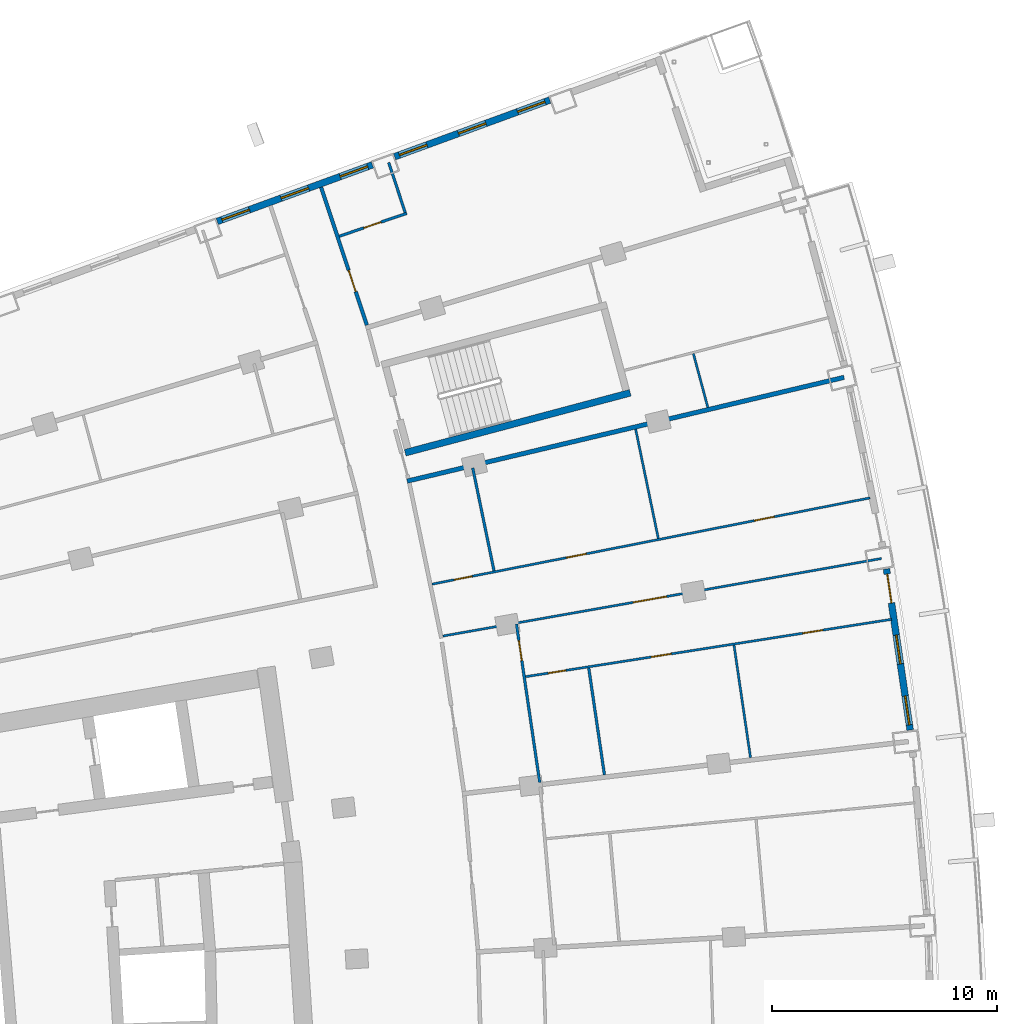
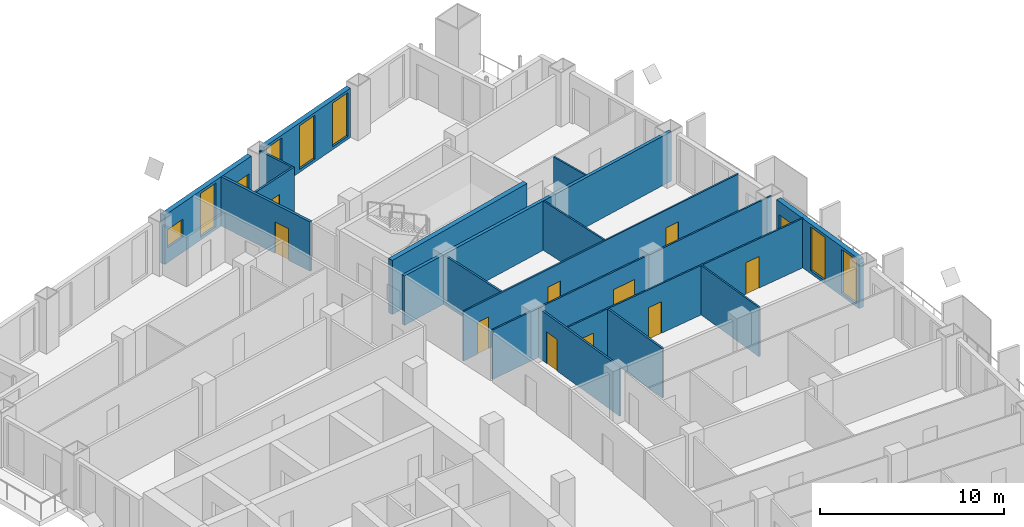
# One storey, part 20 of 25: 17 walls, 11 doors, 8 windows, 19 openings.
"""IFC4 building model written with IfcOpenShell, lengths in metres."""

from ifc_helpers import new_model, si_unit, direction, frame, frame_2d, origin, place, context, subcontext, project, spatial, rectangle, extrude, material, layer, layer_set, type_object, element, fill, save


model = new_model("IFC4")

# Units and contexts
model_context = context("Model", 3, precision=1e-05, world=origin(), true_north=direction((0.0, 1.0)))
body_context = subcontext(model_context, "Body", "Model", "MODEL_VIEW")
ifc_project = project(units=[si_unit("LENGTHUNIT", "METRE"), si_unit("AREAUNIT", "SQUARE_METRE"), si_unit("VOLUMEUNIT", "CUBIC_METRE"), si_unit("PLANEANGLEUNIT", "RADIAN"), si_unit("MASSUNIT", "GRAM", prefix="KILO")], contexts=[model_context])

# Site, building, storey
site_placement = place(None, origin())
site = spatial("IfcSite", under=ifc_project, at=site_placement, CompositionType="ELEMENT")
building_placement = place(site_placement, origin())
building = spatial("IfcBuilding", under=site, at=building_placement, Name="Alderwake Tower", CompositionType="ELEMENT")
storey_placement = place(building_placement, frame((0.0, 0.0, 111.199951171875)))
storey = spatial("IfcBuildingStorey", under=building, at=storey_placement, Name="L27", CompositionType="ELEMENT", Elevation=111.199951171875)

# Wall
ifc_material_1 = material(Name="Concrete C70/85", Category="concrete")
ifc_layer_1 = layer(ifc_material_1, 0.300048828125)
ifc_layer_set_1 = layer_set([ifc_layer_1], Name="Core wall stair enclosure 300 C70-85")
wall_type_1 = type_object("IfcWallType", Name="Core wall stair enclosure 300 C70-85", PredefinedType="SHEAR", material=ifc_layer_set_1)
wall_1_placement = place(storey_placement, frame((37.75390625, 90.268798828125, 0.0), z_axis=(0.0, 0.0, 1.0), x_axis=(0.966309214305, 0.257383958996, 0.0)))
element("IfcWall", 1, at=wall_1_placement, inside=storey, type_object=wall_type_1, Name="Core wall CW.084", PredefinedType="SHEAR", context=body_context, shape_type="SweptSolid", body=[
    extrude(rectangle(XDim=10.360107421875, YDim=0.300048828125, at=frame_2d((5.18017578125, 0.0))), origin(), (0.0, 0.0, 1.0), 3.60009765625),
])

# Wall, opening, door
ifc_material_2 = material(Name="Gypsum board on metal studs, rated")
ifc_layer_2 = layer(ifc_material_2, 0.159912109375)
ifc_layer_set_2 = layer_set([ifc_layer_2], Name="Corridor wall 160")
wall_type_2 = type_object("IfcWallType", Name="Corridor wall 160", PredefinedType="PARTITIONING", material=ifc_layer_set_2)
wall_2_placement = place(storey_placement, frame((34.010986328125, 102.083984375, 0.0), z_axis=(0.0, 0.0, 1.0), x_axis=(0.315140606423, -0.949044992708, 0.0)))
wall_2 = element("IfcWall", 2, at=wall_2_placement, inside=storey, type_object=wall_type_2, Name="WL/L27/W28", PredefinedType="PARTITIONING", context=body_context, shape_type="SweptSolid", body=[
    extrude(rectangle(XDim=6.46875, YDim=0.159912109375, at=frame_2d((3.234375, 0.0))), origin(), (0.0, 0.0, 1.0), 3.280029296875),
])
opening_1_placement = place(wall_2_placement, frame((3.897705078125, 0.0, 0.0)))
opening_1 = element("IfcOpeningElement", 3, at=opening_1_placement, cuts=wall_2, Name="Opening R07-U04.1", PredefinedType="OPENING", context=body_context, shape_type="SweptSolid", body=[
    extrude(rectangle(XDim=1.0, YDim=2.10009765625, at=frame_2d((0.5, 1.050048828125))), frame((0.0, 0.08984375, 0.0), z_axis=(0.0, -1.0, 0.0), x_axis=(1.0, 0.0, 0.0)), (0.0, 0.0, 1.0), 0.179931640625),
])
ifc_material_3 = material(Name="Solid timber leaf in steel frame", Category="steel")
door_type_1 = type_object("IfcDoorType", Name="Flat entrance door 1000 fire-rated", OperationType="SINGLE_SWING_LEFT", PredefinedType="DOOR", material=ifc_material_3)
door_1_placement = place(opening_1_placement, origin())
door_1 = element("IfcDoor", 4, at=door_1_placement, inside=storey, type_object=door_type_1, Name="DR/L27/U04.1", OperationType="SINGLE_SWING_LEFT", OverallHeight=2.10009765625, OverallWidth=1.0, PredefinedType="DOOR", context=body_context, shape_type="SweptSolid", body=[
    extrude(rectangle(XDim=1.0, YDim=2.10009765625, at=frame_2d((0.5, 1.050048828125))), frame((0.0, 0.02490234375, 0.0), z_axis=(0.0, -1.0, 0.0), x_axis=(1.0, 0.0, 0.0)), (0.0, 0.0, 1.0), 0.050048828125),
])
fill(opening_1, door_1)

# Wall, openings, door, windows
ifc_material_4 = material(Name="Precast concrete C50/60 spandrel panel", Category="concrete")
ifc_layer_3 = layer(ifc_material_4, 0.300048828125)
ifc_layer_set_3 = layer_set([ifc_layer_3], Name="External wall EW1 Precast concrete C50/60 spandrel")
wall_type_3 = type_object("IfcWallType", Name="External wall EW1 Precast concrete C50/60 spandrel", PredefinedType="SOLIDWALL", material=ifc_layer_set_3)
wall_3_placement = place(storey_placement, frame((60.21728515625, 77.935302734375, 0.0), z_axis=(0.0, 0.0, 1.0), x_axis=(-0.145324114128, 0.989384102284, 0.0)))
wall_3 = element("IfcWall", 5, at=wall_3_placement, inside=storey, type_object=wall_type_3, Name="External wall 19", PredefinedType="SOLIDWALL", context=body_context, shape_type="SweptSolid", body=[
    extrude(rectangle(XDim=7.24072265625, YDim=0.300048828125, at=frame_2d((3.620361328125, 0.0))), origin(), (0.0, 0.0, 1.0), 3.280029296875),
])
opening_2_placement = place(wall_3_placement, frame((0.22900390625, 0.0, 0.199951171875)))
opening_2 = element("IfcOpeningElement", 6, at=opening_2_placement, cuts=wall_3, Name="Opening W1", PredefinedType="OPENING", context=body_context, shape_type="SweptSolid", body=[
    extrude(rectangle(XDim=1.300048828125, YDim=2.89990234375, at=frame_2d((0.64990234375, 1.449951171875))), frame((0.0, 0.159912109375, 0.0), z_axis=(0.0, -1.0, 0.0), x_axis=(1.0, 0.0, 0.0)), (0.0, 0.0, 1.0), 0.320068359375),
])
opening_3_placement = place(wall_3_placement, frame((2.97021484375, 0.0, 0.199951171875)))
opening_3 = element("IfcOpeningElement", 7, at=opening_3_placement, cuts=wall_3, Name="Opening W1", PredefinedType="OPENING", context=body_context, shape_type="SweptSolid", body=[
    extrude(rectangle(XDim=1.300048828125, YDim=2.89990234375, at=frame_2d((0.64990234375, 1.449951171875))), frame((0.0, 0.159912109375, 0.0), z_axis=(0.0, -1.0, 0.0), x_axis=(1.0, 0.0, 0.0)), (0.0, 0.0, 1.0), 0.320068359375),
])
opening_4_placement = place(wall_3_placement, frame((5.711669921875, 0.0, 0.0)))
opening_4 = element("IfcOpeningElement", 8, at=opening_4_placement, cuts=wall_3, Name="Opening D09", PredefinedType="OPENING", context=body_context, shape_type="SweptSolid", body=[
    extrude(rectangle(XDim=1.300048828125, YDim=2.39990234375, at=frame_2d((0.64990234375, 1.199951171875))), frame((0.0, 0.159912109375, 0.0), z_axis=(0.0, -1.0, 0.0), x_axis=(1.0, 0.0, 0.0)), (0.0, 0.0, 1.0), 0.320068359375),
])
ifc_material_5 = material(Name="Bronze tinted glass in aluminium frame", Category="aluminium")
door_type_2 = type_object("IfcDoorType", Name="Balcony door BD sliding", OperationType="SLIDING_TO_LEFT", PredefinedType="DOOR", material=ifc_material_5)
door_2_placement = place(opening_4_placement, origin())
door_2 = element("IfcDoor", 9, at=door_2_placement, inside=storey, type_object=door_type_2, Name="Door D09", OperationType="SLIDING_TO_LEFT", OverallHeight=2.39990234375, OverallWidth=1.300048828125, PredefinedType="DOOR", context=body_context, shape_type="SweptSolid", body=[
    extrude(rectangle(XDim=1.300048828125, YDim=2.39990234375, at=frame_2d((0.64990234375, 1.199951171875))), frame((0.0, 0.02490234375, 0.0), z_axis=(0.0, -1.0, 0.0), x_axis=(1.0, 0.0, 0.0)), (0.0, 0.0, 1.0), 0.050048828125),
])
fill(opening_4, door_2)
ifc_material_6 = material(Name="Bronze tinted glass in aluminium frame", Category="aluminium")
window_type_1 = type_object("IfcWindowType", Name="Window W1 tall fixed and vent", PartitioningType="DOUBLE_PANEL_VERTICAL", PredefinedType="WINDOW", material=ifc_material_6)
window_1_placement = place(opening_2_placement, origin())
window_1 = element("IfcWindow", 10, at=window_1_placement, inside=storey, type_object=window_type_1, Name="Window W1 tall fixed and vent", OverallHeight=2.89990234375, OverallWidth=1.300048828125, PartitioningType="DOUBLE_PANEL_VERTICAL", PredefinedType="WINDOW", context=body_context, shape_type="SweptSolid", body=[
    extrude(rectangle(XDim=1.300048828125, YDim=2.89990234375, at=frame_2d((0.64990234375, 1.449951171875))), frame((0.0, 0.030029296875, 0.0), z_axis=(0.0, -1.0, 0.0), x_axis=(1.0, 0.0, 0.0)), (0.0, 0.0, 1.0), 0.06005859375),
])
fill(opening_2, window_1)
window_2_placement = place(opening_3_placement, origin())
window_2 = element("IfcWindow", 11, at=window_2_placement, inside=storey, type_object=window_type_1, Name="Window W1 tall fixed and vent", OverallHeight=2.89990234375, OverallWidth=1.300048828125, PartitioningType="DOUBLE_PANEL_VERTICAL", PredefinedType="WINDOW", context=body_context, shape_type="SweptSolid", body=[
    extrude(rectangle(XDim=1.300048828125, YDim=2.89990234375, at=frame_2d((0.64990234375, 1.449951171875))), frame((0.0, 0.030029296875, 0.0), z_axis=(0.0, -1.0, 0.0), x_axis=(1.0, 0.0, 0.0)), (0.0, 0.0, 1.0), 0.06005859375),
])
fill(opening_3, window_2)

# Wall, openings, windows
ifc_material_7 = material(Name="Bronze metal cladding on lightweight framing")
ifc_layer_4 = layer(ifc_material_7, 0.300048828125)
ifc_layer_set_4 = layer_set([ifc_layer_4], Name="External wall EW2 bronze metal cladding")
wall_type_4 = type_object("IfcWallType", Name="External wall EW2 bronze metal cladding", PredefinedType="SOLIDWALL", material=ifc_layer_set_4)
wall_4_placement = place(storey_placement, frame((44.1845703125, 105.958251953125, 0.0), z_axis=(0.0, 0.0, 1.0), x_axis=(-0.939378390818, -0.342882252187, 0.0)))
wall_4 = element("IfcWall", 12, at=wall_4_placement, inside=storey, type_object=wall_type_4, Name="External wall 26", PredefinedType="SOLIDWALL", context=body_context, shape_type="SweptSolid", body=[
    extrude(rectangle(XDim=7.345947265625, YDim=0.300048828125, at=frame_2d((3.6728515625, 0.0))), origin(), (0.0, 0.0, 1.0), 3.280029296875),
])
opening_5_placement = place(wall_4_placement, frame((0.22314453125, 0.0, 0.199951171875)))
opening_5 = element("IfcOpeningElement", 13, at=opening_5_placement, cuts=wall_4, Name="Opening W1", PredefinedType="OPENING", context=body_context, shape_type="SweptSolid", body=[
    extrude(rectangle(XDim=1.300048828125, YDim=2.89990234375, at=frame_2d((0.64990234375, 1.449951171875))), frame((0.0, 0.159912109375, 0.0), z_axis=(0.0, -1.0, 0.0), x_axis=(1.0, 0.0, 0.0)), (0.0, 0.0, 1.0), 0.320068359375),
])
opening_6_placement = place(wall_4_placement, frame((3.023193359375, 0.0, 0.199951171875)))
opening_6 = element("IfcOpeningElement", 14, at=opening_6_placement, cuts=wall_4, Name="Opening W1", PredefinedType="OPENING", context=body_context, shape_type="SweptSolid", body=[
    extrude(rectangle(XDim=1.300048828125, YDim=2.89990234375, at=frame_2d((0.64990234375, 1.449951171875))), frame((0.0, 0.159912109375, 0.0), z_axis=(0.0, -1.0, 0.0), x_axis=(1.0, 0.0, 0.0)), (0.0, 0.0, 1.0), 0.320068359375),
])
opening_7_placement = place(wall_4_placement, frame((5.8232421875, 0.0, 0.199951171875)))
opening_7 = element("IfcOpeningElement", 15, at=opening_7_placement, cuts=wall_4, Name="Opening W1", PredefinedType="OPENING", context=body_context, shape_type="SweptSolid", body=[
    extrude(rectangle(XDim=1.300048828125, YDim=2.89990234375, at=frame_2d((0.64990234375, 1.449951171875))), frame((0.0, 0.159912109375, 0.0), z_axis=(0.0, -1.0, 0.0), x_axis=(1.0, 0.0, 0.0)), (0.0, 0.0, 1.0), 0.320068359375),
])
window_3_placement = place(opening_5_placement, origin())
window_3 = element("IfcWindow", 16, at=window_3_placement, inside=storey, type_object=window_type_1, Name="Window W1 tall fixed and vent", OverallHeight=2.89990234375, OverallWidth=1.300048828125, PartitioningType="DOUBLE_PANEL_VERTICAL", PredefinedType="WINDOW", context=body_context, shape_type="SweptSolid", body=[
    extrude(rectangle(XDim=1.300048828125, YDim=2.89990234375, at=frame_2d((0.64990234375, 1.449951171875))), frame((0.0, 0.030029296875, 0.0), z_axis=(0.0, -1.0, 0.0), x_axis=(1.0, 0.0, 0.0)), (0.0, 0.0, 1.0), 0.06005859375),
])
fill(opening_5, window_3)
window_4_placement = place(opening_6_placement, origin())
window_4 = element("IfcWindow", 17, at=window_4_placement, inside=storey, type_object=window_type_1, Name="Window W1 tall fixed and vent", OverallHeight=2.89990234375, OverallWidth=1.300048828125, PartitioningType="DOUBLE_PANEL_VERTICAL", PredefinedType="WINDOW", context=body_context, shape_type="SweptSolid", body=[
    extrude(rectangle(XDim=1.300048828125, YDim=2.89990234375, at=frame_2d((0.64990234375, 1.449951171875))), frame((0.0, 0.030029296875, 0.0), z_axis=(0.0, -1.0, 0.0), x_axis=(1.0, 0.0, 0.0)), (0.0, 0.0, 1.0), 0.06005859375),
])
fill(opening_6, window_4)
window_5_placement = place(opening_7_placement, origin())
window_5 = element("IfcWindow", 18, at=window_5_placement, inside=storey, type_object=window_type_1, Name="Window W1 tall fixed and vent", OverallHeight=2.89990234375, OverallWidth=1.300048828125, PartitioningType="DOUBLE_PANEL_VERTICAL", PredefinedType="WINDOW", context=body_context, shape_type="SweptSolid", body=[
    extrude(rectangle(XDim=1.300048828125, YDim=2.89990234375, at=frame_2d((0.64990234375, 1.449951171875))), frame((0.0, 0.030029296875, 0.0), z_axis=(0.0, -1.0, 0.0), x_axis=(1.0, 0.0, 0.0)), (0.0, 0.0, 1.0), 0.06005859375),
])
fill(opening_7, window_5)

wall_5_placement = place(storey_placement, frame((36.293701171875, 103.077880859375, 0.0), z_axis=(0.0, 0.0, 1.0), x_axis=(-0.939378390818, -0.342882252187, 0.0)))
wall_5 = element("IfcWall", 19, at=wall_5_placement, inside=storey, type_object=wall_type_4, Name="External wall 27", PredefinedType="SOLIDWALL", context=body_context, shape_type="SweptSolid", body=[
    extrude(rectangle(XDim=7.345947265625, YDim=0.300048828125, at=frame_2d((3.6728515625, 0.0))), origin(), (0.0, 0.0, 1.0), 3.280029296875),
])
opening_8_placement = place(wall_5_placement, frame((0.222900390625, 0.0, 1.0)))
opening_8 = element("IfcOpeningElement", 20, at=opening_8_placement, cuts=wall_5, Name="Opening W2", PredefinedType="OPENING", context=body_context, shape_type="SweptSolid", body=[
    extrude(rectangle(XDim=1.300048828125, YDim=1.199951171875, at=frame_2d((0.64990234375, 0.60009765625))), frame((0.0, 0.159912109375, 0.0), z_axis=(0.0, -1.0, 0.0), x_axis=(1.0, 0.0, 0.0)), (0.0, 0.0, 1.0), 0.320068359375),
])
opening_9_placement = place(wall_5_placement, frame((3.02294921875, 0.0, 0.199951171875)))
opening_9 = element("IfcOpeningElement", 21, at=opening_9_placement, cuts=wall_5, Name="Opening W1", PredefinedType="OPENING", context=body_context, shape_type="SweptSolid", body=[
    extrude(rectangle(XDim=1.300048828125, YDim=2.89990234375, at=frame_2d((0.64990234375, 1.449951171875))), frame((0.0, 0.159912109375, 0.0), z_axis=(0.0, -1.0, 0.0), x_axis=(1.0, 0.0, 0.0)), (0.0, 0.0, 1.0), 0.320068359375),
])
opening_10_placement = place(wall_5_placement, frame((5.822998046875, 0.0, 1.0)))
opening_10 = element("IfcOpeningElement", 22, at=opening_10_placement, cuts=wall_5, Name="Opening W2", PredefinedType="OPENING", context=body_context, shape_type="SweptSolid", body=[
    extrude(rectangle(XDim=1.300048828125, YDim=1.199951171875, at=frame_2d((0.64990234375, 0.60009765625))), frame((0.0, 0.159912109375, 0.0), z_axis=(0.0, -1.0, 0.0), x_axis=(1.0, 0.0, 0.0)), (0.0, 0.0, 1.0), 0.320068359375),
])
window_6_placement = place(opening_9_placement, origin())
window_6 = element("IfcWindow", 23, at=window_6_placement, inside=storey, type_object=window_type_1, Name="Window W1 tall fixed and vent", OverallHeight=2.89990234375, OverallWidth=1.300048828125, PartitioningType="DOUBLE_PANEL_VERTICAL", PredefinedType="WINDOW", context=body_context, shape_type="SweptSolid", body=[
    extrude(rectangle(XDim=1.300048828125, YDim=2.89990234375, at=frame_2d((0.64990234375, 1.449951171875))), frame((0.0, 0.030029296875, 0.0), z_axis=(0.0, -1.0, 0.0), x_axis=(1.0, 0.0, 0.0)), (0.0, 0.0, 1.0), 0.06005859375),
])
fill(opening_9, window_6)
ifc_material_8 = material(Name="Bronze tinted glass in aluminium frame", Category="aluminium")
window_type_2 = type_object("IfcWindowType", Name="Window W2 kitchen and bath", PartitioningType="SINGLE_PANEL", PredefinedType="WINDOW", material=ifc_material_8)
window_7_placement = place(opening_8_placement, origin())
window_7 = element("IfcWindow", 24, at=window_7_placement, inside=storey, type_object=window_type_2, Name="Window W2 kitchen and bath", OverallHeight=1.199951171875, OverallWidth=1.300048828125, PartitioningType="SINGLE_PANEL", PredefinedType="WINDOW", context=body_context, shape_type="SweptSolid", body=[
    extrude(rectangle(XDim=1.300048828125, YDim=1.199951171875, at=frame_2d((0.64990234375, 0.60009765625))), frame((0.0, 0.030029296875, 0.0), z_axis=(0.0, -1.0, 0.0), x_axis=(1.0, 0.0, 0.0)), (0.0, 0.0, 1.0), 0.06005859375),
])
fill(opening_8, window_7)
window_8_placement = place(opening_10_placement, origin())
window_8 = element("IfcWindow", 25, at=window_8_placement, inside=storey, type_object=window_type_2, Name="Window W2 kitchen and bath", OverallHeight=1.199951171875, OverallWidth=1.300048828125, PartitioningType="SINGLE_PANEL", PredefinedType="WINDOW", context=body_context, shape_type="SweptSolid", body=[
    extrude(rectangle(XDim=1.300048828125, YDim=1.199951171875, at=frame_2d((0.64990234375, 0.60009765625))), frame((0.0, 0.030029296875, 0.0), z_axis=(0.0, -1.0, 0.0), x_axis=(1.0, 0.0, 0.0)), (0.0, 0.0, 1.0), 0.06005859375),
])
fill(opening_10, window_8)

# Wall
ifc_material_9 = material(Name="Dense block masonry wall", Category="masonry")
ifc_layer_5 = layer(ifc_material_9, 0.199951171875)
ifc_layer_set_5 = layer_set([ifc_layer_5], Name="Party wall 200")
wall_type_5 = type_object("IfcWallType", Name="Party wall 200", PredefinedType="SOLIDWALL", material=ifc_layer_set_5)
wall_6_placement = place(storey_placement, frame((37.839111328125, 89.006591796875, 0.0), z_axis=(0.0, 0.0, 1.0), x_axis=(0.972923052294, 0.23112925889, 0.0)))
element("IfcWall", 26, at=wall_6_placement, inside=storey, type_object=wall_type_5, Name="WL/L27/W07", PredefinedType="SOLIDWALL", context=body_context, shape_type="SweptSolid", body=[
    extrude(rectangle(XDim=19.977783203125, YDim=0.199951171875, at=frame_2d((9.98876953125, 0.0))), origin(), (0.0, 0.0, 1.0), 3.280029296875),
])

# Wall, openings, doors
ifc_material_10 = material(Name="Gypsum board on metal studs")
ifc_layer_6 = layer(ifc_material_10, 0.10009765625)
ifc_layer_set_6 = layer_set([ifc_layer_6], Name="Unit partition 100")
wall_type_6 = type_object("IfcWallType", Name="Unit partition 100", PredefinedType="PARTITIONING", material=ifc_layer_set_6)
wall_7_placement = place(storey_placement, frame((38.949462890625, 84.423583984375, 0.0), z_axis=(0.0, 0.0, 1.0), x_axis=(0.981139690944, 0.193300043595, 0.0)))
wall_7 = element("IfcWall", 27, at=wall_7_placement, inside=storey, type_object=wall_type_6, Name="WL/L27/W72", PredefinedType="PARTITIONING", context=body_context, shape_type="SweptSolid", body=[
    extrude(rectangle(XDim=19.862060546875, YDim=0.10009765625, at=frame_2d((9.93115234375, 0.0))), origin(), (0.0, 0.0, 1.0), 3.280029296875),
])
opening_11_placement = place(wall_7_placement, frame((6.093017578125, 0.0, 0.0)))
opening_11 = element("IfcOpeningElement", 28, at=opening_11_placement, cuts=wall_7, Name="Opening R07-U09.6", PredefinedType="OPENING", context=body_context, shape_type="SweptSolid", body=[
    extrude(rectangle(XDim=0.89990234375, YDim=2.10009765625, at=frame_2d((0.449951171875, 1.050048828125))), frame((0.0, 0.06005859375, 0.0), z_axis=(0.0, -1.0, 0.0), x_axis=(1.0, 0.0, 0.0)), (0.0, 0.0, 1.0), 0.1201171875),
])
opening_12_placement = place(wall_7_placement, frame((1.009521484375, 0.0, 0.0)))
opening_12 = element("IfcOpeningElement", 29, at=opening_12_placement, cuts=wall_7, Name="Opening R07-U09.7", PredefinedType="OPENING", context=body_context, shape_type="SweptSolid", body=[
    extrude(rectangle(XDim=0.800048828125, YDim=2.10009765625, at=frame_2d((0.39990234375, 1.050048828125))), frame((0.0, 0.06005859375, 0.0), z_axis=(0.0, -1.0, 0.0), x_axis=(1.0, 0.0, 0.0)), (0.0, 0.0, 1.0), 0.1201171875),
])
opening_13_placement = place(wall_7_placement, frame((14.614501953125, 0.0, 0.0)))
opening_13 = element("IfcOpeningElement", 30, at=opening_13_placement, cuts=wall_7, Name="Opening R07-U09.8", PredefinedType="OPENING", context=body_context, shape_type="SweptSolid", body=[
    extrude(rectangle(XDim=0.89990234375, YDim=2.10009765625, at=frame_2d((0.449951171875, 1.050048828125))), frame((0.0, 0.06005859375, 0.0), z_axis=(0.0, -1.0, 0.0), x_axis=(1.0, 0.0, 0.0)), (0.0, 0.0, 1.0), 0.1201171875),
])
ifc_material_11 = material(Name="Painted timber leaf", Category="wood")
door_type_3 = type_object("IfcDoorType", Name="Bathroom door 800", OperationType="SINGLE_SWING_LEFT", PredefinedType="DOOR", material=ifc_material_11)
door_3_placement = place(opening_12_placement, origin())
door_3 = element("IfcDoor", 31, at=door_3_placement, inside=storey, type_object=door_type_3, Name="DR/L27/U09.7", OperationType="SINGLE_SWING_LEFT", OverallHeight=2.10009765625, OverallWidth=0.800048828125, PredefinedType="DOOR", context=body_context, shape_type="SweptSolid", body=[
    extrude(rectangle(XDim=0.800048828125, YDim=2.10009765625, at=frame_2d((0.39990234375, 1.050048828125))), frame((0.0, 0.02490234375, 0.0), z_axis=(0.0, -1.0, 0.0), x_axis=(1.0, 0.0, 0.0)), (0.0, 0.0, 1.0), 0.050048828125),
])
fill(opening_12, door_3)
ifc_material_12 = material(Name="Painted timber leaf", Category="wood")
door_type_4 = type_object("IfcDoorType", Name="Room door 900", OperationType="SINGLE_SWING_LEFT", PredefinedType="DOOR", material=ifc_material_12)
door_4_placement = place(opening_11_placement, origin())
door_4 = element("IfcDoor", 32, at=door_4_placement, inside=storey, type_object=door_type_4, Name="DR/L27/U09.6", OperationType="SINGLE_SWING_LEFT", OverallHeight=2.10009765625, OverallWidth=0.89990234375, PredefinedType="DOOR", context=body_context, shape_type="SweptSolid", body=[
    extrude(rectangle(XDim=0.89990234375, YDim=2.10009765625, at=frame_2d((0.449951171875, 1.050048828125))), frame((0.0, 0.02490234375, 0.0), z_axis=(0.0, -1.0, 0.0), x_axis=(1.0, 0.0, 0.0)), (0.0, 0.0, 1.0), 0.050048828125),
])
fill(opening_11, door_4)
door_5_placement = place(opening_13_placement, origin())
door_5 = element("IfcDoor", 33, at=door_5_placement, inside=storey, type_object=door_type_4, Name="DR/L27/U09.8", OperationType="SINGLE_SWING_LEFT", OverallHeight=2.10009765625, OverallWidth=0.89990234375, PredefinedType="DOOR", context=body_context, shape_type="SweptSolid", body=[
    extrude(rectangle(XDim=0.89990234375, YDim=2.10009765625, at=frame_2d((0.449951171875, 1.050048828125))), frame((0.0, 0.02490234375, 0.0), z_axis=(0.0, -1.0, 0.0), x_axis=(1.0, 0.0, 0.0)), (0.0, 0.0, 1.0), 0.050048828125),
])
fill(opening_13, door_5)

# Wall, opening, door
wall_8_placement = place(storey_placement, frame((39.4267578125, 82.114990234375, 0.0), z_axis=(0.0, 0.0, 1.0), x_axis=(0.984725717962, 0.174112780649, 0.0)))
wall_8 = element("IfcWall", 34, at=wall_8_placement, inside=storey, type_object=wall_type_6, Name="WL/L27/W73", PredefinedType="PARTITIONING", context=body_context, shape_type="SweptSolid", body=[
    extrude(rectangle(XDim=19.820068359375, YDim=0.10009765625, at=frame_2d((9.91015625, 0.0))), origin(), (0.0, 0.0, 1.0), 3.280029296875),
])
opening_14_placement = place(wall_8_placement, frame((8.6064453125, 0.0, 0.0)))
opening_14 = element("IfcOpeningElement", 35, at=opening_14_placement, cuts=wall_8, Name="Opening R07-U09.9", PredefinedType="OPENING", context=body_context, shape_type="SweptSolid", body=[
    extrude(rectangle(XDim=1.5, YDim=2.10009765625, at=frame_2d((0.75, 1.050048828125))), frame((0.0, 0.06005859375, 0.0), z_axis=(0.0, -1.0, 0.0), x_axis=(1.0, 0.0, 0.0)), (0.0, 0.0, 1.0), 0.1201171875),
])
ifc_material_13 = material(Name="Painted timber leaves", Category="wood")
door_type_5 = type_object("IfcDoorType", Name="Double leaf door 1500", OperationType="DOUBLE_DOOR_SINGLE_SWING", PredefinedType="DOOR", material=ifc_material_13)
door_6_placement = place(opening_14_placement, origin())
door_6 = element("IfcDoor", 36, at=door_6_placement, inside=storey, type_object=door_type_5, Name="DR/L27/U09.9", OperationType="DOUBLE_DOOR_SINGLE_SWING", OverallHeight=2.10009765625, OverallWidth=1.5, PredefinedType="DOOR", context=body_context, shape_type="SweptSolid", body=[
    extrude(rectangle(XDim=1.5, YDim=2.10009765625, at=frame_2d((0.75, 1.050048828125))), frame((0.0, 0.02490234375, 0.0), z_axis=(0.0, -1.0, 0.0), x_axis=(1.0, 0.0, 0.0)), (0.0, 0.0, 1.0), 0.050048828125),
])
fill(opening_14, door_6)

# Wall, openings, doors
wall_9_placement = place(storey_placement, frame((59.39404296875, 82.860107421875, 0.0), z_axis=(0.0, 0.0, 1.0), x_axis=(-0.9879355272, -0.15486572925, 0.0)))
wall_9 = element("IfcWall", 37, at=wall_9_placement, inside=storey, type_object=wall_type_6, Name="WL/L27/W76", PredefinedType="PARTITIONING", context=body_context, shape_type="SweptSolid", body=[
    extrude(rectangle(XDim=16.483642578125, YDim=0.10009765625, at=frame_2d((8.24169921875, 0.0))), origin(), (0.0, 0.0, 1.0), 3.280029296875),
])
opening_15_placement = place(wall_9_placement, frame((9.92626953125, 0.0, 0.0)))
opening_15 = element("IfcOpeningElement", 38, at=opening_15_placement, cuts=wall_9, Name="Opening R07-U09.1", PredefinedType="OPENING", context=body_context, shape_type="SweptSolid", body=[
    extrude(rectangle(XDim=0.89990234375, YDim=2.10009765625, at=frame_2d((0.449951171875, 1.050048828125))), frame((0.0, 0.06005859375, 0.0), z_axis=(0.0, -1.0, 0.0), x_axis=(1.0, 0.0, 0.0)), (0.0, 0.0, 1.0), 0.1201171875),
])
opening_16_placement = place(wall_9_placement, frame((14.664794921875, 0.0, 0.0)))
opening_16 = element("IfcOpeningElement", 39, at=opening_16_placement, cuts=wall_9, Name="Opening R07-U09.4", PredefinedType="OPENING", context=body_context, shape_type="SweptSolid", body=[
    extrude(rectangle(XDim=0.800048828125, YDim=2.10009765625, at=frame_2d((0.39990234375, 1.050048828125))), frame((0.0, 0.06005859375, 0.0), z_axis=(0.0, -1.0, 0.0), x_axis=(1.0, 0.0, 0.0)), (0.0, 0.0, 1.0), 0.1201171875),
])
opening_17_placement = place(wall_9_placement, frame((3.10400390625, 0.0, 0.0)))
opening_17 = element("IfcOpeningElement", 40, at=opening_17_placement, cuts=wall_9, Name="Opening R07-U09.5", PredefinedType="OPENING", context=body_context, shape_type="SweptSolid", body=[
    extrude(rectangle(XDim=0.89990234375, YDim=2.10009765625, at=frame_2d((0.449951171875, 1.050048828125))), frame((0.0, 0.06005859375, 0.0), z_axis=(0.0, -1.0, 0.0), x_axis=(1.0, 0.0, 0.0)), (0.0, 0.0, 1.0), 0.1201171875),
])
door_7_placement = place(opening_16_placement, origin())
door_7 = element("IfcDoor", 41, at=door_7_placement, inside=storey, type_object=door_type_3, Name="DR/L27/U09.4", OperationType="SINGLE_SWING_LEFT", OverallHeight=2.10009765625, OverallWidth=0.800048828125, PredefinedType="DOOR", context=body_context, shape_type="SweptSolid", body=[
    extrude(rectangle(XDim=0.800048828125, YDim=2.10009765625, at=frame_2d((0.39990234375, 1.050048828125))), frame((0.0, 0.02490234375, 0.0), z_axis=(0.0, -1.0, 0.0), x_axis=(1.0, 0.0, 0.0)), (0.0, 0.0, 1.0), 0.050048828125),
])
fill(opening_16, door_7)
door_8_placement = place(opening_15_placement, origin())
door_8 = element("IfcDoor", 42, at=door_8_placement, inside=storey, type_object=door_type_4, Name="DR/L27/U09.1", OperationType="SINGLE_SWING_LEFT", OverallHeight=2.10009765625, OverallWidth=0.89990234375, PredefinedType="DOOR", context=body_context, shape_type="SweptSolid", body=[
    extrude(rectangle(XDim=0.89990234375, YDim=2.10009765625, at=frame_2d((0.449951171875, 1.050048828125))), frame((0.0, 0.02490234375, 0.0), z_axis=(0.0, -1.0, 0.0), x_axis=(1.0, 0.0, 0.0)), (0.0, 0.0, 1.0), 0.050048828125),
])
fill(opening_15, door_8)
door_9_placement = place(opening_17_placement, origin())
door_9 = element("IfcDoor", 43, at=door_9_placement, inside=storey, type_object=door_type_4, Name="DR/L27/U09.5", OperationType="SINGLE_SWING_LEFT", OverallHeight=2.10009765625, OverallWidth=0.89990234375, PredefinedType="DOOR", context=body_context, shape_type="SweptSolid", body=[
    extrude(rectangle(XDim=0.89990234375, YDim=2.10009765625, at=frame_2d((0.449951171875, 1.050048828125))), frame((0.0, 0.02490234375, 0.0), z_axis=(0.0, -1.0, 0.0), x_axis=(1.0, 0.0, 0.0)), (0.0, 0.0, 1.0), 0.050048828125),
])
fill(opening_17, door_9)

# Walls
wall_10_placement = place(storey_placement, frame((49.0126953125, 86.4580078125, 0.0), z_axis=(0.0, 0.0, 1.0), x_axis=(-0.202950413488, 0.979189016312, 0.0)))
element("IfcWall", 44, at=wall_10_placement, inside=storey, type_object=wall_type_6, Name="WL/L27/W83", PredefinedType="PARTITIONING", context=body_context, shape_type="SweptSolid", body=[
    extrude(rectangle(XDim=4.96337890625, YDim=0.10009765625, at=frame_2d((2.481689453125, 0.0))), origin(), (0.0, 0.0, 1.0), 3.280029296875),
])
wall_11_placement = place(storey_placement, frame((51.217041015625, 92.28662109375, 0.0), z_axis=(0.0, 0.0, 1.0), x_axis=(-0.259442778972, 0.965758481422, 0.0)))
element("IfcWall", 45, at=wall_11_placement, inside=storey, type_object=wall_type_6, Name="WL/L27/W85", PredefinedType="PARTITIONING", context=body_context, shape_type="SweptSolid", body=[
    extrude(rectangle(XDim=2.474853515625, YDim=0.10009765625, at=frame_2d((1.2373046875, 0.0))), origin(), (0.0, 0.0, 1.0), 3.280029296875),
])
wall_12_placement = place(storey_placement, frame((53.115478515625, 76.700927734375, 0.0), z_axis=(0.0, 0.0, 1.0), x_axis=(-0.145026054314, 0.989427836464, 0.0)))
element("IfcWall", 46, at=wall_12_placement, inside=storey, type_object=wall_type_6, Name="WL/L27/W88", PredefinedType="PARTITIONING", context=body_context, shape_type="SweptSolid", body=[
    extrude(rectangle(XDim=5.06201171875, YDim=0.10009765625, at=frame_2d((2.531005859375, 0.0))), origin(), (0.0, 0.0, 1.0), 3.280029296875),
])

# Wall, opening, door
ifc_material_14 = material(Name="Moisture resistant gypsum board on metal studs")
ifc_layer_7 = layer(ifc_material_14, 0.1201171875)
ifc_layer_set_7 = layer_set([ifc_layer_7], Name="Wet room partition 120")
wall_type_7 = type_object("IfcWallType", Name="Wet room partition 120", PredefinedType="PARTITIONING", material=ifc_layer_set_7)
wall_13_placement = place(storey_placement, frame((34.81884765625, 99.901611328125, 0.0), z_axis=(0.0, 0.0, 1.0), x_axis=(0.947175058373, 0.320717022928, 0.0)))
wall_13 = element("IfcWall", 47, at=wall_13_placement, inside=storey, type_object=wall_type_7, Name="WL/L27/W50", PredefinedType="PARTITIONING", context=body_context, shape_type="SweptSolid", body=[
    extrude(rectangle(XDim=3.178955078125, YDim=0.1201171875, at=frame_2d((1.58935546875, 0.0))), origin(), (0.0, 0.0, 1.0), 3.280029296875),
])
opening_18_placement = place(wall_13_placement, frame((1.15966796875, 0.0, 0.0)))
opening_18 = element("IfcOpeningElement", 48, at=opening_18_placement, cuts=wall_13, Name="Opening R07-U04.2", PredefinedType="OPENING", context=body_context, shape_type="SweptSolid", body=[
    extrude(rectangle(XDim=0.800048828125, YDim=2.10009765625, at=frame_2d((0.39990234375, 1.050048828125))), frame((0.0, 0.070068359375, 0.0), z_axis=(0.0, -1.0, 0.0), x_axis=(1.0, 0.0, 0.0)), (0.0, 0.0, 1.0), 0.14013671875),
])
door_10_placement = place(opening_18_placement, origin())
door_10 = element("IfcDoor", 49, at=door_10_placement, inside=storey, type_object=door_type_3, Name="DR/L27/U04.2", OperationType="SINGLE_SWING_LEFT", OverallHeight=2.10009765625, OverallWidth=0.800048828125, PredefinedType="DOOR", context=body_context, shape_type="SweptSolid", body=[
    extrude(rectangle(XDim=0.800048828125, YDim=2.10009765625, at=frame_2d((0.39990234375, 1.050048828125))), frame((0.0, 0.02490234375, 0.0), z_axis=(0.0, -1.0, 0.0), x_axis=(1.0, 0.0, 0.0)), (0.0, 0.0, 1.0), 0.050048828125),
])
fill(opening_18, door_10)

# Walls
wall_14_placement = place(storey_placement, frame((37.754150390625, 100.958984375, 0.0), z_axis=(0.0, 0.0, 1.0), x_axis=(-0.314726191852, 0.949182503085, 0.0)))
element("IfcWall", 50, at=wall_14_placement, inside=storey, type_object=wall_type_7, Name="WL/L27/W53", PredefinedType="PARTITIONING", context=body_context, shape_type="SweptSolid", body=[
    extrude(rectangle(XDim=2.341796875, YDim=0.1201171875, at=frame_2d((1.1708984375, 0.0))), origin(), (0.0, 0.0, 1.0), 3.280029296875),
])
wall_15_placement = place(storey_placement, frame((41.704833984375, 85.01806640625, 0.0), z_axis=(0.0, 0.0, 1.0), x_axis=(-0.20267985984, 0.979245053301, 0.0)))
element("IfcWall", 51, at=wall_15_placement, inside=storey, type_object=wall_type_7, Name="WL/L27/W55", PredefinedType="PARTITIONING", context=body_context, shape_type="SweptSolid", body=[
    extrude(rectangle(XDim=4.6748046875, YDim=0.1201171875, at=frame_2d((2.33740234375, 0.0))), origin(), (0.0, 0.0, 1.0), 3.280029296875),
])

# Wall, opening, door
wall_16_placement = place(storey_placement, frame((42.703369140625, 82.6455078125, 0.0), z_axis=(0.0, 0.0, 1.0), x_axis=(0.145290574876, -0.989389028063, 0.0)))
wall_16 = element("IfcWall", 52, at=wall_16_placement, inside=storey, type_object=wall_type_7, Name="WL/L27/W56", PredefinedType="PARTITIONING", context=body_context, shape_type="SweptSolid", body=[
    extrude(rectangle(XDim=7.117919921875, YDim=0.1201171875, at=frame_2d((3.55908203125, 0.0))), origin(), (0.0, 0.0, 1.0), 3.280029296875),
])
opening_19_placement = place(wall_16_placement, frame((0.73681640625, 0.0, 0.0)))
opening_19 = element("IfcOpeningElement", 53, at=opening_19_placement, cuts=wall_16, Name="Opening R07-U09.3", PredefinedType="OPENING", context=body_context, shape_type="SweptSolid", body=[
    extrude(rectangle(XDim=0.89990234375, YDim=2.10009765625, at=frame_2d((0.449951171875, 1.050048828125))), frame((0.0, 0.070068359375, 0.0), z_axis=(0.0, -1.0, 0.0), x_axis=(1.0, 0.0, 0.0)), (0.0, 0.0, 1.0), 0.14013671875),
])
door_11_placement = place(opening_19_placement, origin())
door_11 = element("IfcDoor", 54, at=door_11_placement, inside=storey, type_object=door_type_4, Name="DR/L27/U09.3", OperationType="SINGLE_SWING_LEFT", OverallHeight=2.10009765625, OverallWidth=0.89990234375, PredefinedType="DOOR", context=body_context, shape_type="SweptSolid", body=[
    extrude(rectangle(XDim=0.89990234375, YDim=2.10009765625, at=frame_2d((0.449951171875, 1.050048828125))), frame((0.0, 0.02490234375, 0.0), z_axis=(0.0, -1.0, 0.0), x_axis=(1.0, 0.0, 0.0)), (0.0, 0.0, 1.0), 0.050048828125),
])
fill(opening_19, door_11)

# Wall
wall_17_placement = place(storey_placement, frame((46.617431640625, 75.93896484375, 0.0), z_axis=(0.0, 0.0, 1.0), x_axis=(-0.145238137818, 0.989396726962, 0.0)))
element("IfcWall", 55, at=wall_17_placement, inside=storey, type_object=wall_type_7, Name="WL/L27/W64", PredefinedType="PARTITIONING", context=body_context, shape_type="SweptSolid", body=[
    extrude(rectangle(XDim=4.8076171875, YDim=0.1201171875, at=frame_2d((2.40380859375, 0.0))), origin(), (0.0, 0.0, 1.0), 3.280029296875),
])

save(model, "model.ifc")
